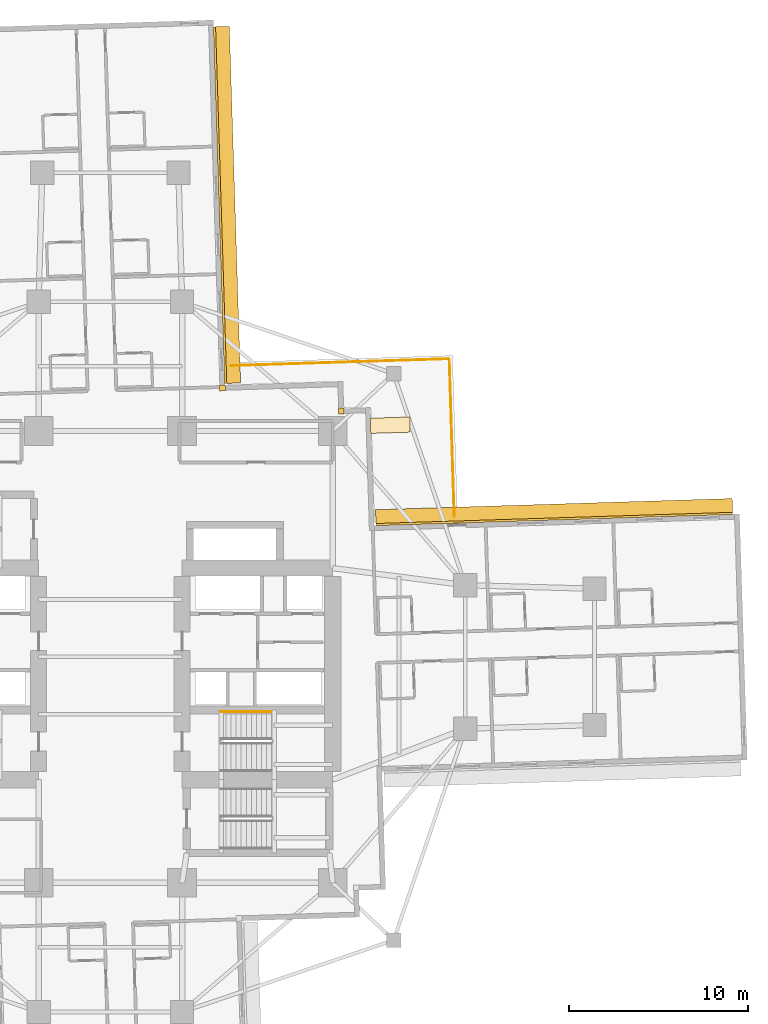
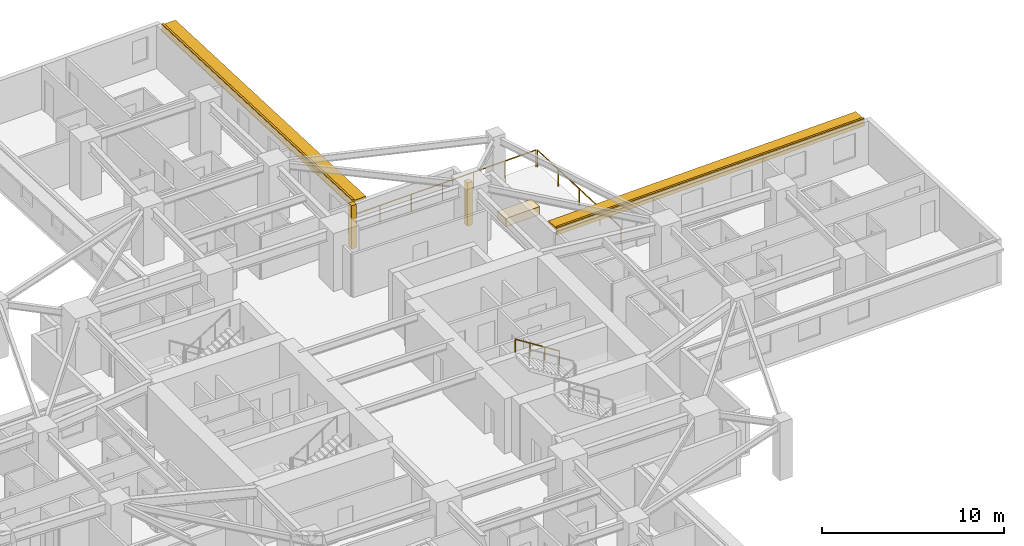
# One storey, part 15 of 15: 5 coverings, 3 railings, 2 shading devices.
"""IFC4 building model written with IfcOpenShell, lengths in metres."""

from ifc_helpers import new_model, si_unit, direction, frame, origin, origin_2d, place, context, subcontext, project, spatial, rectangle, circle, extrude, material, layer, layer_set, type_object, element, save


model = new_model("IFC4")

# Units and contexts
model_context = context("Model", 3, precision=1e-05, world=origin(), true_north=direction((0.0, 1.0)))
body_context = subcontext(model_context, "Body", "Model", "MODEL_VIEW")
ifc_project = project(units=[si_unit("LENGTHUNIT", "METRE"), si_unit("AREAUNIT", "SQUARE_METRE"), si_unit("VOLUMEUNIT", "CUBIC_METRE"), si_unit("PLANEANGLEUNIT", "RADIAN"), si_unit("MASSUNIT", "GRAM", prefix="KILO")], contexts=[model_context])

# Site, building, storey
site_placement = place(None, origin())
site = spatial("IfcSite", under=ifc_project, at=site_placement, CompositionType="ELEMENT")
building_placement = place(site_placement, origin())
building = spatial("IfcBuilding", under=site, at=building_placement, Name="Qingluan Cross Belvedere", CompositionType="ELEMENT")
storey_placement = place(building_placement, frame((0.0, 0.0, 31.5)))
storey = spatial("IfcBuildingStorey", under=building, at=storey_placement, Name="L08", CompositionType="ELEMENT", Elevation=31.5)

# Coverings
ifc_material_1 = material(Name="Precast concrete C45", Category="concrete")
ifc_layer_1 = layer(ifc_material_1, 0.1201171875, Name="ConcreteSpandrelCladding_120")
ifc_layer_set_1 = layer_set([ifc_layer_1], Name="Precast concrete C45")
covering_type_1 = type_object("IfcCoveringType", Name="ConcreteSpandrelCladding_120", PredefinedType="CLADDING", material=ifc_layer_set_1)
for number, where, z_axis, x_axis, name in (
    (1, (24.760498046875, 7.691650390625, 2.449951171875), (0.0, 0.0, 1.0), (-0.999506649124, -0.031407934627, 0.0), "Spandrel cladding L08-EB"),
    (2, (6.12158203125, 25.194580078125, 2.449951171875), (0.0, 0.0, 1.0), (-0.031407934627, 0.999506649124, 0.0), "Spandrel cladding L08-NA"),
):
    element("IfcCovering", number, at=place(storey_placement, frame(where, z_axis=z_axis, x_axis=x_axis)), inside=storey, type_object=covering_type_1, Name=name, PredefinedType="CLADDING", context=body_context, shape_type="SweptSolid", body=[
        extrude(rectangle(XDim=19.89990234375, YDim=0.1201171875, at=origin_2d()), origin(), (0.0, 0.0, 1.0), 0.52001953125),
    ])
for number, where, z_axis, x_axis, name in (
    (3, (12.875732421875, 13.711181640625, 0.0), (0.0, 0.0, 1.0), (0.999506560366, 0.031410759078, 0.0), "Corner closure L08-NE1"),
    (4, (6.251708984375, 15.00390625, 0.0), (0.0, 0.0, 1.0), (0.999506560366, 0.031410759078, 0.0), "Corner closure L08-NE2"),
):
    element("IfcCovering", number, at=place(storey_placement, frame(where, z_axis=z_axis, x_axis=x_axis)), inside=storey, type_object=covering_type_1, Name=name, PredefinedType="CLADDING", context=body_context, shape_type="SweptSolid", body=[
        extrude(rectangle(XDim=0.320068359375, YDim=0.320068359375, at=origin_2d()), origin(), (0.0, 0.0, 1.0), 2.909912109375),
    ])

# Shading devices
ifc_material_2 = material(Name="Precast concrete C45", Category="concrete")
ifc_layer_2 = layer(ifc_material_2, 0.159912109375, Name="ConcreteSunshadeBand_900")
ifc_layer_set_2 = layer_set([ifc_layer_2], Name="Precast concrete C45")
shading_device_type = type_object("IfcShadingDeviceType", Name="ConcreteSunshadeBand_900", PredefinedType="USERDEFINED", material=ifc_layer_set_2)
for number, where, z_axis, x_axis, name in (
    (5, (24.74853515625, 8.0712890625, 2.72998046875), (0.0, 0.0, 1.0), (-0.999506649124, -0.031407934627, 0.0), "Concrete SUNSHADE L08-EB"),
    (6, (6.50146484375, 25.206787109375, 2.72998046875), (0.0, 0.0, 1.0), (-0.031407934627, 0.999506649124, 0.0), "Concrete SUNSHADE L08-NA"),
):
    element("IfcShadingDevice", number, at=place(storey_placement, frame(where, z_axis=z_axis, x_axis=x_axis)), inside=storey, type_object=shading_device_type, Name=name, ObjectType="SUNSHADE", PredefinedType="USERDEFINED", context=body_context, shape_type="SweptSolid", body=[
        extrude(rectangle(XDim=19.89990234375, YDim=0.89990234375, at=origin_2d()), origin(), (0.0, 0.0, 1.0), 0.159912109375),
    ])

# Railings
ifc_material_3 = material(Name="Brushed stainless steel tubular handrail", Category="steel")
railing_type_1 = type_object("IfcRailingType", Name="StairPitchHandrail_900", PredefinedType="HANDRAIL", material=ifc_material_3)
railing_1_placement = place(storey_placement, frame((8.97998046875, -3.050048828125, 2.127197265625)))
element("IfcRailing", 7, at=railing_1_placement, inside=storey, type_object=railing_type_1, Name="L08 ST2 stair handrail 2", PredefinedType="HANDRAIL", context=body_context, shape_type="SweptSolid", body=[
    extrude(circle(Radius=0.02392578125, at=origin_2d()), frame((0.0, 0.0, 0.8759765625), z_axis=(-0.844908973607, 0.0, 0.534910110503), x_axis=(0.0, -1.0, 0.0)), (0.0, 0.0, 1.0), 3.31396484375),
    extrude(circle(Radius=0.02099609375, at=origin_2d()), origin(), (0.0, 0.0, 1.0), 0.851806640625),
    extrude(circle(Radius=0.02099609375, at=origin_2d()), frame((-0.933349609375, 0.0, 0.5908203125)), (0.0, 0.0, 1.0), 0.851806640625),
    extrude(circle(Radius=0.02099609375, at=origin_2d()), frame((-1.86669921875, 0.0, 1.181884765625)), (0.0, 0.0, 1.0), 0.851806640625),
    extrude(circle(Radius=0.02099609375, at=origin_2d()), frame((-2.800048828125, 0.0, 1.772705078125)), (0.0, 0.0, 1.0), 0.851806640625),
])
ifc_material_4 = material(Name="Laminated glass and stainless steel balustrade", Category="steel")
railing_type_2 = type_object("IfcRailingType", Name="TerraceGuardBalustrade_1150", PredefinedType="BALUSTRADE", material=ifc_material_4)
railing_2_placement = place(storey_placement, frame((6.733154296875, 16.239501953125, 0.0)))
element("IfcRailing", 8, at=railing_2_placement, inside=storey, type_object=railing_type_2, Name="Terrace guard L08-1", PredefinedType="BALUSTRADE", context=body_context, shape_type="SweptSolid", body=[
    extrude(circle(Radius=0.02392578125, at=origin_2d()), frame((0.0, 0.0, 1.1259765625), z_axis=(0.999506795162, 0.031403286853, 0.0), x_axis=(-0.031403286853, 0.999506795162, 0.0)), (0.0, 0.0, 1.0), 12.1201171875),
    extrude(circle(Radius=0.02099609375, at=origin_2d()), origin(), (0.0, 0.0, 1.0), 1.101806640625),
    extrude(circle(Radius=0.02099609375, at=origin_2d()), frame((2.01904296875, 0.0634765625, 0.0)), (0.0, 0.0, 1.0), 1.101806640625),
    extrude(circle(Radius=0.02099609375, at=origin_2d()), frame((4.0380859375, 0.126953125, 0.0)), (0.0, 0.0, 1.0), 1.101806640625),
    extrude(circle(Radius=0.02099609375, at=origin_2d()), frame((6.05712890625, 0.1904296875, 0.0)), (0.0, 0.0, 1.0), 1.101806640625),
    extrude(circle(Radius=0.02099609375, at=origin_2d()), frame((8.076171875, 0.253662109375, 0.0)), (0.0, 0.0, 1.0), 1.101806640625),
    extrude(circle(Radius=0.02099609375, at=origin_2d()), frame((10.09521484375, 0.317138671875, 0.0)), (0.0, 0.0, 1.0), 1.101806640625),
    extrude(circle(Radius=0.02099609375, at=origin_2d()), frame((12.1142578125, 0.380615234375, 0.0)), (0.0, 0.0, 1.0), 1.101806640625),
])
railing_3_placement = place(storey_placement, frame((18.9091796875, 16.562255859375, 0.0)))
element("IfcRailing", 9, at=railing_3_placement, inside=storey, type_object=railing_type_2, Name="Terrace guard L08-2", PredefinedType="BALUSTRADE", context=body_context, shape_type="SweptSolid", body=[
    extrude(circle(Radius=0.02392578125, at=origin_2d()), frame((0.0, 0.0, 1.1259765625), z_axis=(0.031413061052, -0.999506488021, 0.0), x_axis=(0.999506488021, 0.031413061052, 0.0)), (0.0, 0.0, 1.0), 8.72021484375),
    extrude(circle(Radius=0.02099609375, at=origin_2d()), origin(), (0.0, 0.0, 1.0), 1.101806640625),
    extrude(circle(Radius=0.02099609375, at=origin_2d()), frame((0.068359375, -2.178955078125, 0.0)), (0.0, 0.0, 1.0), 1.101806640625),
    extrude(circle(Radius=0.02099609375, at=origin_2d()), frame((0.136962890625, -4.35791015625, 0.0)), (0.0, 0.0, 1.0), 1.101806640625),
    extrude(circle(Radius=0.02099609375, at=origin_2d()), frame((0.20556640625, -6.536865234375, 0.0)), (0.0, 0.0, 1.0), 1.101806640625),
    extrude(circle(Radius=0.02099609375, at=origin_2d()), frame((0.27392578125, -8.7158203125, 0.0)), (0.0, 0.0, 1.0), 1.101806640625),
])

# Covering
ifc_material_5 = material(Name="Precast concrete C40", Category="concrete")
ifc_layer_3 = layer(ifc_material_5, 0.550048828125, Name="TerracePlanterBox")
ifc_layer_set_3 = layer_set([ifc_layer_3], Name="Precast concrete C40")
covering_type_2 = type_object("IfcCoveringType", Name="TerracePlanterBox", PredefinedType="USERDEFINED", material=ifc_layer_set_3)
covering_placement = place(storey_placement, frame((15.611083984375, 12.922119140625, 0.0), z_axis=(0.0, 0.0, 1.0), x_axis=(0.999506560366, 0.031410759078, 0.0)))
element("IfcCovering", 10, at=covering_placement, inside=storey, type_object=covering_type_2, Name="Spiralling winter-garden planter L08", ObjectType="PLANTER", PredefinedType="USERDEFINED", context=body_context, shape_type="SweptSolid", body=[
    extrude(rectangle(XDim=2.199951171875, YDim=0.85009765625, at=origin_2d()), origin(), (0.0, 0.0, 1.0), 0.550048828125),
])

save(model, "model.ifc")
